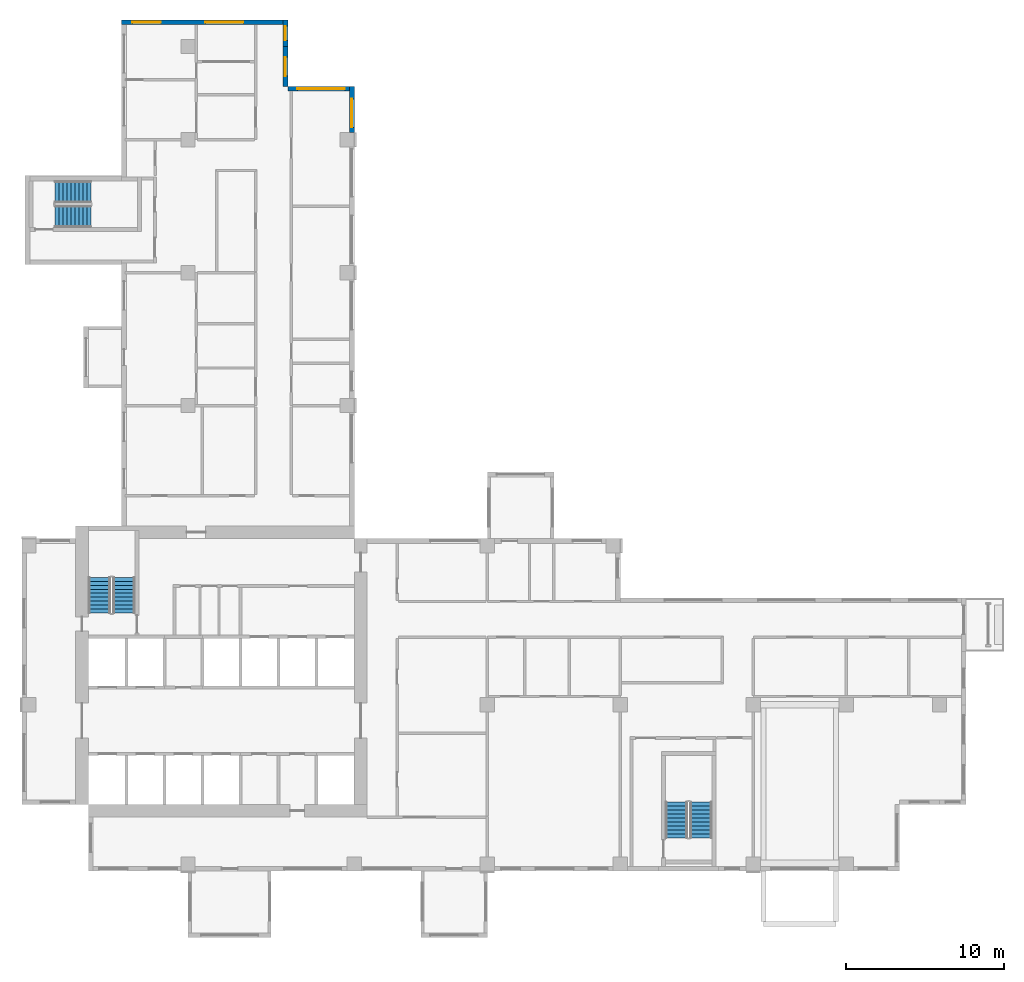
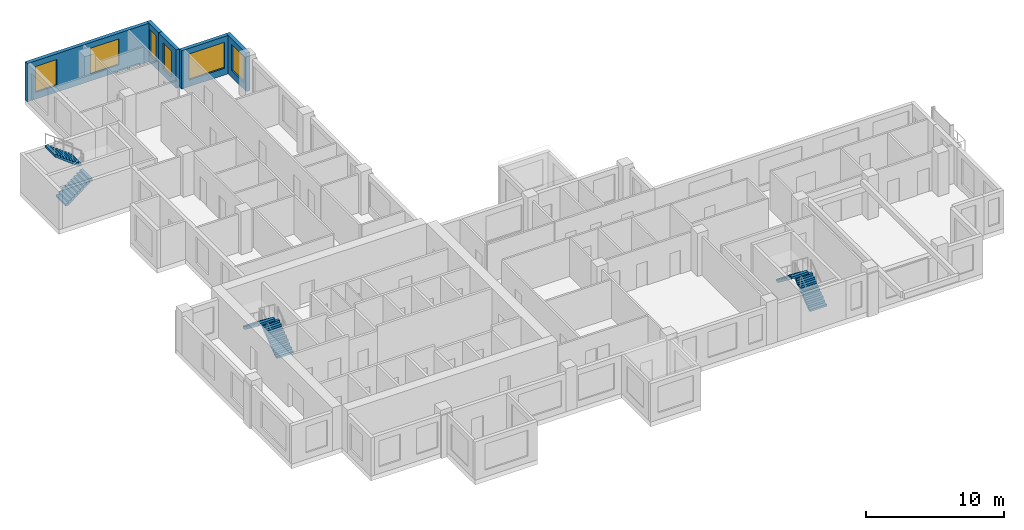
# One storey, part 8 of 12: 6 stair flights, 6 windows, 5 walls, 6 openings, 3 elements without a shape of their own.
"""IFC4 building model written with IfcOpenShell, lengths in metres."""

from ifc_helpers import new_model, si_unit, direction, frame, frame_2d, origin, place, context, subcontext, project, spatial, polyline, rectangle, outline, extrude, source, transform, mapped, material, layer, layer_set, type_object, element, fill, aggregate, save


model = new_model("IFC4")

# Units and contexts
model_context = context("Model", 3, precision=1e-05, world=origin(), true_north=direction((0.0, 1.0)))
body_context = subcontext(model_context, "Body", "Model", "MODEL_VIEW")
ifc_project = project(units=[si_unit("LENGTHUNIT", "METRE"), si_unit("AREAUNIT", "SQUARE_METRE"), si_unit("VOLUMEUNIT", "CUBIC_METRE"), si_unit("PLANEANGLEUNIT", "RADIAN"), si_unit("MASSUNIT", "GRAM", prefix="KILO")], contexts=[model_context])

# Site, building, storey
site_placement = place(None, origin())
site = spatial("IfcSite", under=ifc_project, at=site_placement, CompositionType="ELEMENT")
building_placement = place(site_placement, origin())
building = spatial("IfcBuilding", under=site, at=building_placement, Name="Aurelian Terraces", CompositionType="ELEMENT")
storey_placement = place(building_placement, frame((0.0, 0.0, 196.8)))
storey = spatial("IfcBuildingStorey", under=building, at=storey_placement, Name="L43", CompositionType="ELEMENT", Elevation=196.8)

# Wall, opening, window
ifc_material_1 = material(Name="Terracotta rainscreen cladding", Category="masonry")
ifc_layer = layer(ifc_material_1, 0.3)
ifc_layer_set = layer_set([ifc_layer], Name="EW-300")
wall_type = type_object("IfcWallType", Name="EW-300", PredefinedType="STANDARD", material=ifc_layer_set)
shared_shape_1 = source(origin(), body_context, "Body", "SweptSolid", [
    extrude(rectangle(XDim=2.91, YDim=0.3, at=frame_2d((1.455, 0.0))), origin(), (0.0, 0.0, 1.0), 3.4),
])
wall_1_placement = place(storey_placement, frame((20.85, 46.65, 0.0), z_axis=(0.0, 0.0, 1.0), x_axis=(0.0, 1.0, 0.0)))
wall_1 = element("IfcWall", 1, at=wall_1_placement, inside=storey, type_object=wall_type, Name="External wall L43 F08.21", PredefinedType="STANDARD", context=body_context, shape_type="MappedRepresentation", body=[
    mapped(shared_shape_1, transform((0.0, 0.0, 0.0), scale=1.0)),
])
shared_shape_2 = source(origin(), body_context, "Body", "SweptSolid", [
    extrude(rectangle(XDim=1.8, YDim=2.3, at=frame_2d((0.9, 1.15))), frame((0.0, 0.16, 0.0), z_axis=(0.0, -1.0, 0.0), x_axis=(1.0, 0.0, 0.0)), (0.0, 0.0, 1.0), 0.32),
])
opening_1_placement = place(wall_1_placement, frame((0.33, 0.0, 0.6)))
opening_1 = element("IfcOpeningElement", 2, at=opening_1_placement, cuts=wall_1, Name="Opening W1823", PredefinedType="OPENING", context=body_context, shape_type="MappedRepresentation", body=[
    mapped(shared_shape_2, transform((0.0, 0.0, 0.0), scale=1.0)),
])
ifc_material_2 = material(Name="Clear glazing", Category="glass")
window_type_1 = type_object("IfcWindowType", Name="W-1800x2300", PartitioningType="SINGLE_PANEL", PredefinedType="WINDOW", material=ifc_material_2)
shared_shape_3 = source(origin(), body_context, "Body", "SweptSolid", [
    extrude(rectangle(XDim=1.8, YDim=2.3, at=frame_2d((0.9, 1.15))), frame((0.0, 0.03, 0.0), z_axis=(0.0, -1.0, 0.0), x_axis=(1.0, 0.0, 0.0)), (0.0, 0.0, 1.0), 0.06),
])
window_1_placement = place(opening_1_placement, origin())
window_1 = element("IfcWindow", 3, at=window_1_placement, inside=storey, type_object=window_type_1, Name="Window L43 L43-F08-21-0", OverallHeight=2.3, OverallWidth=1.8, PartitioningType="SINGLE_PANEL", PredefinedType="WINDOW", context=body_context, shape_type="MappedRepresentation", body=[
    mapped(shared_shape_3, transform((0.0, 0.0, 0.0), scale=1.0)),
])
fill(opening_1, window_1)

shared_shape_4 = source(origin(), body_context, "Body", "SweptSolid", [
    extrude(rectangle(XDim=4.2, YDim=0.3, at=frame_2d((2.1, 0.0))), origin(), (0.0, 0.0, 1.0), 3.4),
])
wall_2_placement = place(storey_placement, frame((21.0, 49.41, 0.0), z_axis=(0.0, 0.0, 1.0), x_axis=(-1.0, 0.0, 0.0)))
wall_2 = element("IfcWall", 4, at=wall_2_placement, inside=storey, type_object=wall_type, Name="External wall L43 F09.22", PredefinedType="STANDARD", context=body_context, shape_type="MappedRepresentation", body=[
    mapped(shared_shape_4, transform((0.0, 0.0, 0.0), scale=1.0)),
])
shared_shape_5 = source(origin(), body_context, "Body", "SweptSolid", [
    extrude(rectangle(XDim=3.0, YDim=2.3, at=frame_2d((1.5, 1.15))), frame((0.0, 0.16, 0.0), z_axis=(0.0, -1.0, 0.0), x_axis=(1.0, 0.0, 0.0)), (0.0, 0.0, 1.0), 0.32),
])
opening_2_placement = place(wall_2_placement, frame((0.6, 0.0, 0.6)))
opening_2 = element("IfcOpeningElement", 5, at=opening_2_placement, cuts=wall_2, Name="Opening W3023", PredefinedType="OPENING", context=body_context, shape_type="MappedRepresentation", body=[
    mapped(shared_shape_5, transform((0.0, 0.0, 0.0), scale=1.0)),
])
window_type_2 = type_object("IfcWindowType", Name="W-3000x2300", PartitioningType="SINGLE_PANEL", PredefinedType="WINDOW", material=ifc_material_2)
shared_shape_6 = source(origin(), body_context, "Body", "SweptSolid", [
    extrude(rectangle(XDim=3.0, YDim=2.3, at=frame_2d((1.5, 1.15))), frame((0.0, 0.03, 0.0), z_axis=(0.0, -1.0, 0.0), x_axis=(1.0, 0.0, 0.0)), (0.0, 0.0, 1.0), 0.06),
])
window_2_placement = place(opening_2_placement, origin())
window_2 = element("IfcWindow", 6, at=window_2_placement, inside=storey, type_object=window_type_2, Name="Window L43 L43-F09-22-0", OverallHeight=2.3, OverallWidth=3.0, PartitioningType="SINGLE_PANEL", PredefinedType="WINDOW", context=body_context, shape_type="MappedRepresentation", body=[
    mapped(shared_shape_6, transform((0.0, 0.0, 0.0), scale=1.0)),
])
fill(opening_2, window_2)

shared_shape_7 = source(origin(), body_context, "Body", "SweptSolid", [
    extrude(rectangle(XDim=2.52, YDim=0.3, at=frame_2d((1.26, 0.0))), origin(), (0.0, 0.0, 1.0), 3.4),
])
wall_3_placement = place(storey_placement, frame((16.65, 49.56, 0.0), z_axis=(0.0, 0.0, 1.0), x_axis=(0.0, 1.0, 0.0)))
wall_3 = element("IfcWall", 7, at=wall_3_placement, inside=storey, type_object=wall_type, Name="External wall L43 F10.23", PredefinedType="STANDARD", context=body_context, shape_type="MappedRepresentation", body=[
    mapped(shared_shape_7, transform((0.0, 0.0, 0.0), scale=1.0)),
])
shared_shape_8 = source(origin(), body_context, "Body", "SweptSolid", [
    extrude(rectangle(XDim=1.2, YDim=2.3, at=frame_2d((0.6, 1.15))), frame((0.0, 0.16, 0.0), z_axis=(0.0, -1.0, 0.0), x_axis=(1.0, 0.0, 0.0)), (0.0, 0.0, 1.0), 0.32),
])
opening_3_placement = place(wall_3_placement, frame((0.66, 0.0, 0.6)))
opening_3 = element("IfcOpeningElement", 8, at=opening_3_placement, cuts=wall_3, Name="Opening W1223", PredefinedType="OPENING", context=body_context, shape_type="MappedRepresentation", body=[
    mapped(shared_shape_8, transform((0.0, 0.0, 0.0), scale=1.0)),
])
window_type_3 = type_object("IfcWindowType", Name="W-1200x2300", PartitioningType="SINGLE_PANEL", PredefinedType="WINDOW", material=ifc_material_2)
shared_shape_9 = source(origin(), body_context, "Body", "SweptSolid", [
    extrude(rectangle(XDim=1.2, YDim=2.3, at=frame_2d((0.6, 1.15))), frame((0.0, 0.03, 0.0), z_axis=(0.0, -1.0, 0.0), x_axis=(1.0, 0.0, 0.0)), (0.0, 0.0, 1.0), 0.06),
])
window_3_placement = place(opening_3_placement, origin())
window_3 = element("IfcWindow", 9, at=window_3_placement, inside=storey, type_object=window_type_3, Name="Window L43 L43-F10-23-0", OverallHeight=2.3, OverallWidth=1.2, PartitioningType="SINGLE_PANEL", PredefinedType="WINDOW", context=body_context, shape_type="MappedRepresentation", body=[
    mapped(shared_shape_9, transform((0.0, 0.0, 0.0), scale=1.0)),
])
fill(opening_3, window_3)

shared_shape_10 = source(origin(), body_context, "Body", "SweptSolid", [
    extrude(rectangle(XDim=1.68, YDim=0.3, at=frame_2d((0.84, 0.0))), origin(), (0.0, 0.0, 1.0), 3.4),
])
wall_4_placement = place(storey_placement, frame((16.65, 52.08, 0.0), z_axis=(0.0, 0.0, 1.0), x_axis=(0.0, 1.0, 0.0)))
wall_4 = element("IfcWall", 10, at=wall_4_placement, inside=storey, type_object=wall_type, Name="External wall L43 F10.24", PredefinedType="STANDARD", context=body_context, shape_type="MappedRepresentation", body=[
    mapped(shared_shape_10, transform((0.0, 0.0, 0.0), scale=1.0)),
])
shared_shape_11 = source(origin(), body_context, "Body", "SweptSolid", [
    extrude(rectangle(XDim=0.9, YDim=2.3, at=frame_2d((0.45, 1.15))), frame((0.0, 0.16, 0.0), z_axis=(0.0, -1.0, 0.0), x_axis=(1.0, 0.0, 0.0)), (0.0, 0.0, 1.0), 0.32),
])
opening_4_placement = place(wall_4_placement, frame((0.39, 0.0, 0.6)))
opening_4 = element("IfcOpeningElement", 11, at=opening_4_placement, cuts=wall_4, Name="Opening W0923", PredefinedType="OPENING", context=body_context, shape_type="MappedRepresentation", body=[
    mapped(shared_shape_11, transform((0.0, 0.0, 0.0), scale=1.0)),
])
window_type_4 = type_object("IfcWindowType", Name="W-900x2300", PartitioningType="SINGLE_PANEL", PredefinedType="WINDOW", material=ifc_material_2)
shared_shape_12 = source(origin(), body_context, "Body", "SweptSolid", [
    extrude(rectangle(XDim=0.9, YDim=2.3, at=frame_2d((0.45, 1.15))), frame((0.0, 0.03, 0.0), z_axis=(0.0, -1.0, 0.0), x_axis=(1.0, 0.0, 0.0)), (0.0, 0.0, 1.0), 0.06),
])
window_4_placement = place(opening_4_placement, origin())
window_4 = element("IfcWindow", 12, at=window_4_placement, inside=storey, type_object=window_type_4, Name="Window L43 L43-F10-24-P0", OverallHeight=2.3, OverallWidth=0.9, PartitioningType="SINGLE_PANEL", PredefinedType="WINDOW", context=body_context, shape_type="MappedRepresentation", body=[
    mapped(shared_shape_12, transform((0.0, 0.0, 0.0), scale=1.0)),
])
fill(opening_4, window_4)

# Wall, openings, windows
shared_shape_13 = source(origin(), body_context, "Body", "SweptSolid", [
    extrude(rectangle(XDim=10.5, YDim=0.3, at=frame_2d((5.25, 0.0))), origin(), (0.0, 0.0, 1.0), 3.4),
])
wall_5_placement = place(storey_placement, frame((16.8, 53.61, 0.0), z_axis=(0.0, 0.0, 1.0), x_axis=(-1.0, 0.0, 0.0)))
wall_5 = element("IfcWall", 13, at=wall_5_placement, inside=storey, type_object=wall_type, Name="External wall L43 F11.25", PredefinedType="STANDARD", context=body_context, shape_type="MappedRepresentation", body=[
    mapped(shared_shape_13, transform((0.0, 0.0, 0.0), scale=1.0)),
])
opening_5_placement = place(wall_5_placement, frame((8.025, 0.0, 0.6)))
opening_5 = element("IfcOpeningElement", 14, at=opening_5_placement, cuts=wall_5, Name="Opening W1823", PredefinedType="OPENING", context=body_context, shape_type="MappedRepresentation", body=[
    mapped(shared_shape_2, transform((0.0, 0.0, 0.0), scale=1.0)),
])
shared_shape_14 = source(origin(), body_context, "Body", "SweptSolid", [
    extrude(rectangle(XDim=2.4, YDim=2.3, at=frame_2d((1.2, 1.15))), frame((0.0, 0.16, 0.0), z_axis=(0.0, -1.0, 0.0), x_axis=(1.0, 0.0, 0.0)), (0.0, 0.0, 1.0), 0.32),
])
opening_6_placement = place(wall_5_placement, frame((2.8125, 0.0, 0.6)))
opening_6 = element("IfcOpeningElement", 15, at=opening_6_placement, cuts=wall_5, Name="Opening W2423", PredefinedType="OPENING", context=body_context, shape_type="MappedRepresentation", body=[
    mapped(shared_shape_14, transform((0.0, 0.0, 0.0), scale=1.0)),
])
window_5_placement = place(opening_5_placement, origin())
window_5 = element("IfcWindow", 16, at=window_5_placement, inside=storey, type_object=window_type_1, Name="Window L43 L43-F11-25-2", OverallHeight=2.3, OverallWidth=1.8, PartitioningType="SINGLE_PANEL", PredefinedType="WINDOW", context=body_context, shape_type="MappedRepresentation", body=[
    mapped(shared_shape_3, transform((0.0, 0.0, 0.0), scale=1.0)),
])
fill(opening_5, window_5)
window_type_5 = type_object("IfcWindowType", Name="W-2400x2300", PartitioningType="SINGLE_PANEL", PredefinedType="WINDOW", material=ifc_material_2)
shared_shape_15 = source(origin(), body_context, "Body", "SweptSolid", [
    extrude(rectangle(XDim=2.4, YDim=2.3, at=frame_2d((1.2, 1.15))), frame((0.0, 0.03, 0.0), z_axis=(0.0, -1.0, 0.0), x_axis=(1.0, 0.0, 0.0)), (0.0, 0.0, 1.0), 0.06),
])
window_6_placement = place(opening_6_placement, origin())
window_6 = element("IfcWindow", 17, at=window_6_placement, inside=storey, type_object=window_type_5, Name="Window L43 L43-F11-25-G0-0", OverallHeight=2.3, OverallWidth=2.4, PartitioningType="SINGLE_PANEL", PredefinedType="WINDOW", context=body_context, shape_type="MappedRepresentation", body=[
    mapped(shared_shape_15, transform((0.0, 0.0, 0.0), scale=1.0)),
])
fill(opening_6, window_6)

# Stair, stair flights
ifc_material_3 = material(Name="Concrete fc' 40 MPa", Category="concrete")
stair_type = type_object("IfcStairType", Name="Stair 1400", PredefinedType="HALF_TURN_STAIR", material=ifc_material_3)
stair_1_placement = place(storey_placement, origin())
stair_1 = element("IfcStair", 18, at=stair_1_placement, inside=storey, type_object=stair_type, Name="L43 S1", PredefinedType="HALF_TURN_STAIR")
stair_flight_type = type_object("IfcStairFlightType", Name="Stair flight 1400", PredefinedType="STRAIGHT", material=ifc_material_3)
shared_shape_16 = source(origin(), body_context, "Body", "SweptSolid", [
    extrude(outline(polyline([(0.0, 0.0), (0.0, 0.19), (0.25, 0.19), (0.25, 0.38), (0.5, 0.38), (0.5, 0.57), (0.75, 0.57), (0.75, 0.76), (1.0, 0.76), (1.0, 0.95), (1.25, 0.95), (1.25, 1.14), (1.5, 1.14), (1.5, 1.33), (1.75, 1.33), (1.75, 1.52), (2.0, 1.52), (2.0, 1.71), (2.25, 1.71), (2.25, 1.9), (2.25, 1.5216), (0.2479, 0.0), (0.0, 0.0)])), frame((0.0, 0.7, 0.0), z_axis=(0.0, -1.0, 0.0), x_axis=(1.0, 0.0, 0.0)), (0.0, 0.0, 1.0), 1.4),
])
stair_flight_1_placement = place(storey_placement, frame((6.45, 16.3, 2e-08), z_axis=(0.0, 0.0, 1.0), x_axis=(0.0, 1.0, 0.0)))
stair_flight_1 = element("IfcStairFlight", 19, at=stair_flight_1_placement, type_object=stair_flight_type, Name="S1 flight 1", NumberOfRisers=10, NumberOfTreads=9, PredefinedType="STRAIGHT", RiserHeight=0.19, TreadLength=0.25, context=body_context, shape_type="MappedRepresentation", body=[
    mapped(shared_shape_16, transform((0.0, 0.0, 0.0), scale=1.0)),
])
stair_flight_2_placement = place(storey_placement, frame((4.9, 18.55, 1.9000000199999774), z_axis=(0.0, 0.0, 1.0), x_axis=(0.0, -1.0, 0.0)))
stair_flight_2 = element("IfcStairFlight", 20, at=stair_flight_2_placement, type_object=stair_flight_type, Name="S1 flight 2", NumberOfRisers=10, NumberOfTreads=9, PredefinedType="STRAIGHT", RiserHeight=0.19, TreadLength=0.25, context=body_context, shape_type="MappedRepresentation", body=[
    mapped(shared_shape_16, transform((0.0, 0.0, 0.0), scale=1.0)),
])
aggregate(stair_1, [stair_flight_1, stair_flight_2])

stair_2_placement = place(storey_placement, origin())
stair_2 = element("IfcStair", 21, at=stair_2_placement, inside=storey, type_object=stair_type, Name="L43 S2", PredefinedType="HALF_TURN_STAIR")
stair_flight_3_placement = place(storey_placement, frame((42.9, 2.1, 2e-08), z_axis=(0.0, 0.0, 1.0), x_axis=(0.0, 1.0, 0.0)))
stair_flight_3 = element("IfcStairFlight", 22, at=stair_flight_3_placement, type_object=stair_flight_type, Name="S2 flight 1", NumberOfRisers=10, NumberOfTreads=9, PredefinedType="STRAIGHT", RiserHeight=0.19, TreadLength=0.25, context=body_context, shape_type="MappedRepresentation", body=[
    mapped(shared_shape_16, transform((0.0, 0.0, 0.0), scale=1.0)),
])
stair_flight_4_placement = place(storey_placement, frame((41.35, 4.35, 1.9000000199999774), z_axis=(0.0, 0.0, 1.0), x_axis=(0.0, -1.0, 0.0)))
stair_flight_4 = element("IfcStairFlight", 23, at=stair_flight_4_placement, type_object=stair_flight_type, Name="S2 flight 2", NumberOfRisers=10, NumberOfTreads=9, PredefinedType="STRAIGHT", RiserHeight=0.19, TreadLength=0.25, context=body_context, shape_type="MappedRepresentation", body=[
    mapped(shared_shape_16, transform((0.0, 0.0, 0.0), scale=1.0)),
])
aggregate(stair_2, [stair_flight_3, stair_flight_4])

stair_3_placement = place(storey_placement, origin())
stair_3 = element("IfcStair", 24, at=stair_3_placement, inside=storey, type_object=stair_type, Name="L43 S3", PredefinedType="HALF_TURN_STAIR")
stair_flight_5_placement = place(storey_placement, frame((2.1, 41.35, 2e-08), z_axis=(0.0, 0.0, 1.0), x_axis=(1.0, 0.0, 0.0)))
stair_flight_5 = element("IfcStairFlight", 25, at=stair_flight_5_placement, type_object=stair_flight_type, Name="S3 flight 1", NumberOfRisers=10, NumberOfTreads=9, PredefinedType="STRAIGHT", RiserHeight=0.19, TreadLength=0.25, context=body_context, shape_type="MappedRepresentation", body=[
    mapped(shared_shape_16, transform((0.0, 0.0, 0.0), scale=1.0)),
])
stair_flight_6_placement = place(storey_placement, frame((4.35, 42.9, 1.9000000199999774), z_axis=(0.0, 0.0, 1.0), x_axis=(-1.0, 0.0, 0.0)))
stair_flight_6 = element("IfcStairFlight", 26, at=stair_flight_6_placement, type_object=stair_flight_type, Name="S3 flight 2", NumberOfRisers=10, NumberOfTreads=9, PredefinedType="STRAIGHT", RiserHeight=0.19, TreadLength=0.25, context=body_context, shape_type="MappedRepresentation", body=[
    mapped(shared_shape_16, transform((0.0, 0.0, 0.0), scale=1.0)),
])
aggregate(stair_3, [stair_flight_5, stair_flight_6])

save(model, "model.ifc")
